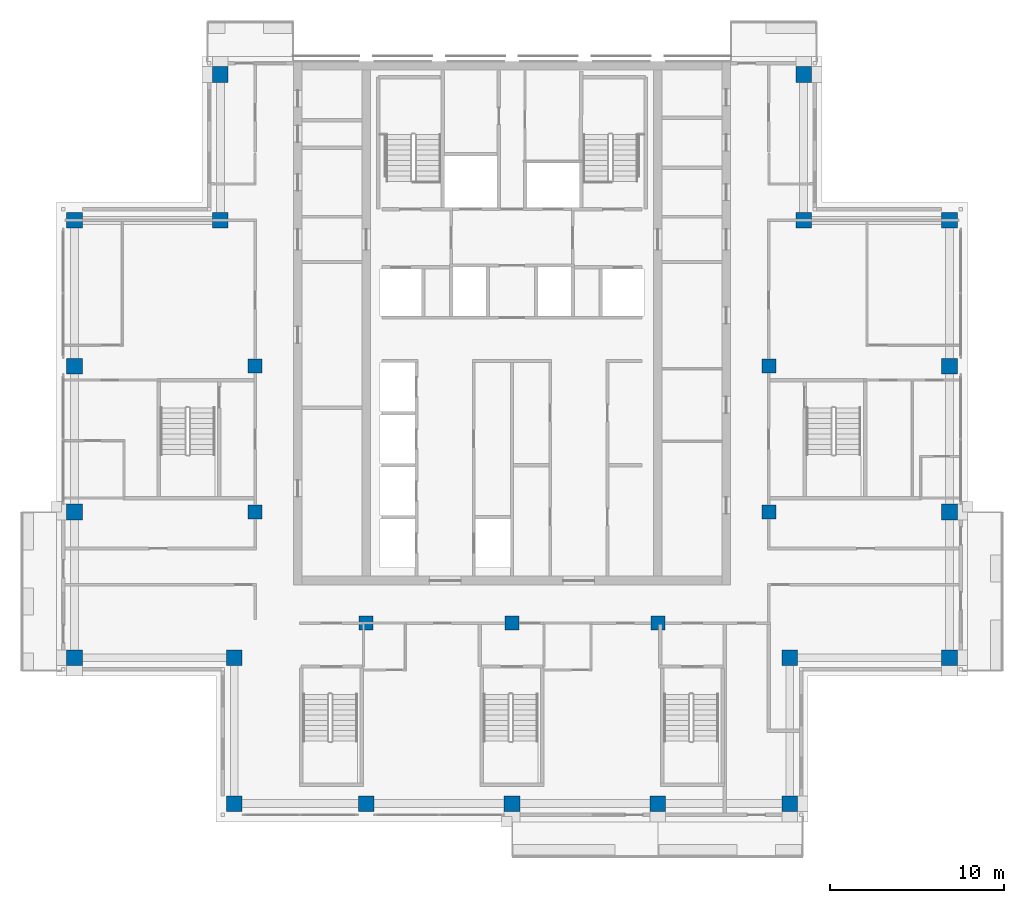
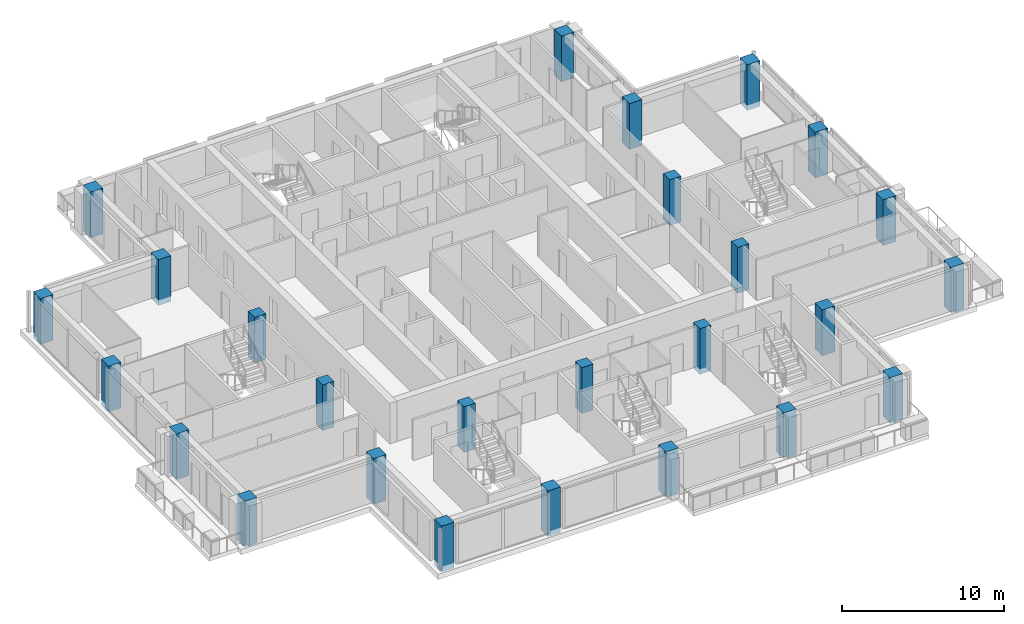
# One storey, part 1 of 17: 26 columns.
"""IFC4 building model written with IfcOpenShell, lengths in metres."""

from ifc_helpers import new_model, si_unit, direction, frame, origin, origin_2d, place, context, subcontext, project, spatial, rectangle, extrude, material, material_profile, profile_set, type_object, element, save


model = new_model("IFC4")

# Units and contexts
model_context = context("Model", 3, precision=1e-05, world=origin(), true_north=direction((0.0, 1.0)))
body_context = subcontext(model_context, "Body", "Model", "MODEL_VIEW")
ifc_project = project(units=[si_unit("LENGTHUNIT", "METRE"), si_unit("AREAUNIT", "SQUARE_METRE"), si_unit("VOLUMEUNIT", "CUBIC_METRE"), si_unit("PLANEANGLEUNIT", "RADIAN"), si_unit("MASSUNIT", "GRAM", prefix="KILO")], contexts=[model_context])

# Site, building, storey
site_placement = place(None, origin())
site = spatial("IfcSite", under=ifc_project, at=site_placement, CompositionType="ELEMENT")
building_placement = place(site_placement, origin())
building = spatial("IfcBuilding", under=site, at=building_placement, Name="Vermilion Ogive Tower", CompositionType="ELEMENT")
storey_placement = place(building_placement, frame((0.0, 0.0, 257.949951171875)))
storey = spatial("IfcBuildingStorey", under=building, at=storey_placement, Name="L68", CompositionType="ELEMENT", Elevation=257.949951171875)

# Columns
ifc_material_1 = material(Name="Concrete B60", Category="concrete")
ifc_material_profile_1 = material_profile(ifc_material_1, rectangle(XDim=0.89990234375, YDim=0.89990234375, at=origin_2d()), Name="900 x 900")
ifc_profile_set_1 = profile_set([ifc_material_profile_1], Name="Concrete B60")
column_type_1 = type_object("IfcColumnType", Name="Perimeter column 900 x 900 B60", PredefinedType="COLUMN", material=ifc_profile_set_1)
for number, where, z_axis, x_axis, name in (
    (1, (-16.0, -21.0, -0.39990234375), (0.0, 0.0, 1.0), (1.0, 0.0, 0.0), "COL-L68-P-0160-210"),
    (2, (-8.39990234375, -21.0, -0.39990234375), (0.0, 0.0, 1.0), (1.0, 0.0, 0.0), "COL-L68-P-0084-210"),
    (3, (0.0, -21.0, -0.39990234375), (0.0, 0.0, 1.0), (1.0, 0.0, 0.0), "COL-L68-P+0000-210"),
    (4, (8.39990234375, -21.0, -0.39990234375), (0.0, 0.0, 1.0), (1.0, 0.0, 0.0), "COL-L68-P+0084-210"),
    (5, (16.0, -21.0, -0.39990234375), (0.0, 0.0, 1.0), (1.0, 0.0, 0.0), "COL-L68-P+0160-210"),
    (6, (-25.199951171875, -12.60009765625, -0.39990234375), (0.0, 0.0, 1.0), (1.0, 0.0, 0.0), "COL-L68-P-0252-126"),
    (7, (-16.0, -12.60009765625, -0.39990234375), (0.0, 0.0, 1.0), (1.0, 0.0, 0.0), "COL-L68-P-0160-126"),
    (8, (16.0, -12.60009765625, -0.39990234375), (0.0, 0.0, 1.0), (1.0, 0.0, 0.0), "COL-L68-P+0160-126"),
    (9, (25.199951171875, -12.60009765625, -0.39990234375), (0.0, 0.0, 1.0), (1.0, 0.0, 0.0), "COL-L68-P+0252-126"),
    (10, (-25.199951171875, -4.199951171875, -0.39990234375), (0.0, 0.0, 1.0), (1.0, 0.0, 0.0), "COL-L68-P-0252-042"),
    (11, (25.199951171875, -4.199951171875, -0.39990234375), (0.0, 0.0, 1.0), (1.0, 0.0, 0.0), "COL-L68-P+0252-042"),
    (12, (-25.199951171875, 4.199951171875, -0.39990234375), (0.0, 0.0, 1.0), (1.0, 0.0, 0.0), "COL-L68-P-0252+042"),
    (13, (25.199951171875, 4.199951171875, -0.39990234375), (0.0, 0.0, 1.0), (1.0, 0.0, 0.0), "COL-L68-P+0252+042"),
    (14, (-25.199951171875, 12.60009765625, -0.39990234375), (0.0, 0.0, 1.0), (1.0, 0.0, 0.0), "COL-L68-P-0252+126"),
    (15, (-16.800048828125, 12.60009765625, -0.39990234375), (0.0, 0.0, 1.0), (1.0, 0.0, 0.0), "COL-L68-P-0168+126"),
    (16, (16.800048828125, 12.60009765625, -0.39990234375), (0.0, 0.0, 1.0), (1.0, 0.0, 0.0), "COL-L68-P+0168+126"),
    (17, (25.199951171875, 12.60009765625, -0.39990234375), (0.0, 0.0, 1.0), (1.0, 0.0, 0.0), "COL-L68-P+0252+126"),
    (18, (-16.800048828125, 21.0, -0.39990234375), (0.0, 0.0, 1.0), (1.0, 0.0, 0.0), "COL-L68-P-0168+210"),
    (19, (16.800048828125, 21.0, -0.39990234375), (0.0, 0.0, 1.0), (1.0, 0.0, 0.0), "COL-L68-P+0168+210"),
):
    element("IfcColumn", number, at=place(storey_placement, frame(where, z_axis=z_axis, x_axis=x_axis)), inside=storey, type_object=column_type_1, Name=name, PredefinedType="COLUMN", context=body_context, shape_type="SweptSolid", body=[
        extrude(rectangle(XDim=0.89990234375, YDim=0.89990234375, at=origin_2d()), origin(), (0.0, 0.0, 1.0), 3.449951171875),
    ])
ifc_material_2 = material(Name="Concrete B60", Category="concrete")
ifc_material_profile_2 = material_profile(ifc_material_2, rectangle(XDim=0.800048828125, YDim=0.800048828125, at=origin_2d()), Name="800 x 800")
ifc_profile_set_2 = profile_set([ifc_material_profile_2], Name="Concrete B60")
column_type_2 = type_object("IfcColumnType", Name="Ring column 800 x 800 B60", PredefinedType="COLUMN", material=ifc_profile_set_2)
for number, where, z_axis, x_axis, name in (
    (20, (-8.39990234375, -10.60009765625, -0.39990234375), (0.0, 0.0, 1.0), (1.0, 0.0, 0.0), "COL-L68-R-0084-106"),
    (21, (0.0, -10.60009765625, -0.39990234375), (0.0, 0.0, 1.0), (1.0, 0.0, 0.0), "COL-L68-R+0000-106"),
    (22, (8.39990234375, -10.60009765625, -0.39990234375), (0.0, 0.0, 1.0), (1.0, 0.0, 0.0), "COL-L68-R+0084-106"),
    (23, (-14.800048828125, -4.199951171875, -0.39990234375), (0.0, 0.0, 1.0), (1.0, 0.0, 0.0), "COL-L68-R-0148-042"),
    (24, (14.800048828125, -4.199951171875, -0.39990234375), (0.0, 0.0, 1.0), (1.0, 0.0, 0.0), "COL-L68-R+0148-042"),
    (25, (-14.800048828125, 4.199951171875, -0.39990234375), (0.0, 0.0, 1.0), (1.0, 0.0, 0.0), "COL-L68-R-0148+042"),
    (26, (14.800048828125, 4.199951171875, -0.39990234375), (0.0, 0.0, 1.0), (1.0, 0.0, 0.0), "COL-L68-R+0148+042"),
):
    element("IfcColumn", number, at=place(storey_placement, frame(where, z_axis=z_axis, x_axis=x_axis)), inside=storey, type_object=column_type_2, Name=name, PredefinedType="COLUMN", context=body_context, shape_type="SweptSolid", body=[
        extrude(rectangle(XDim=0.800048828125, YDim=0.800048828125, at=origin_2d()), origin(), (0.0, 0.0, 1.0), 3.449951171875),
    ])

save(model, "model.ifc")
